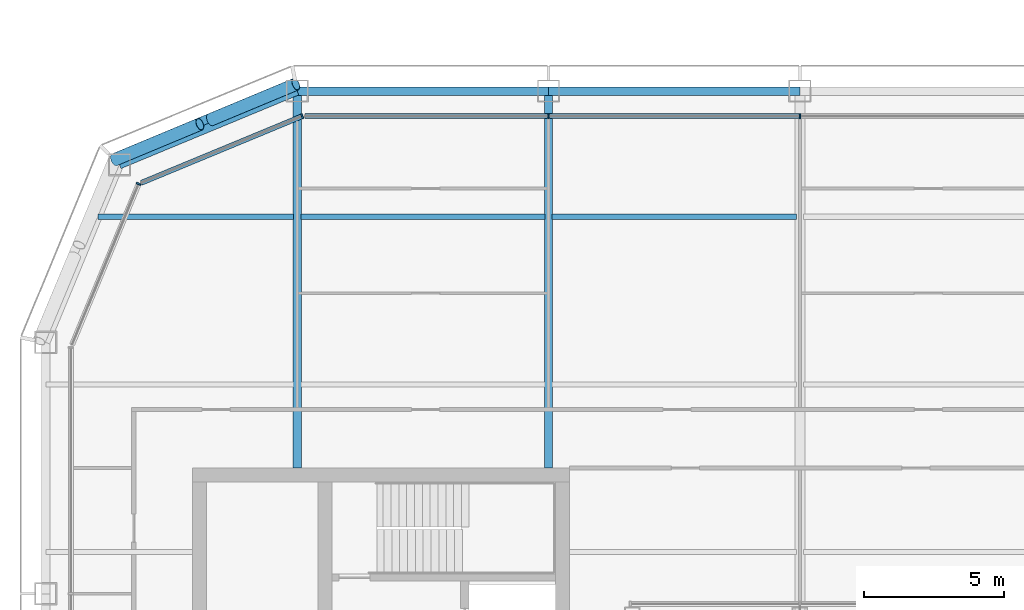
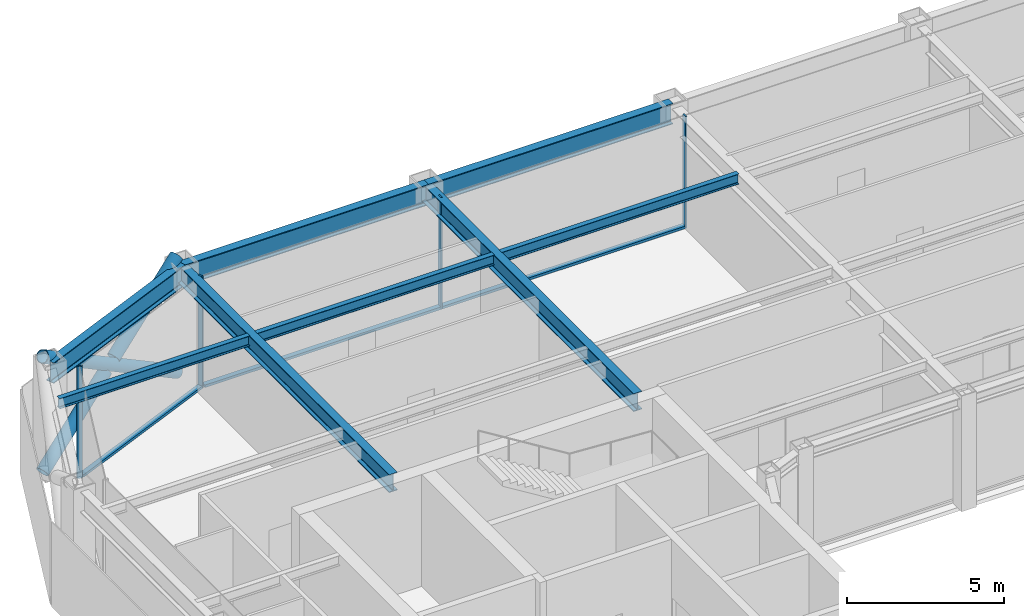
# One storey, part 8 of 23: 10 members, 8 beams, 3 elements without a shape of their own.
"""IFC4 building model written with IfcOpenShell, lengths in metres."""

from ifc_helpers import new_model, si_unit, direction, frame, origin, origin_2d, place, context, subcontext, project, spatial, rectangle, hollow_circle, i_section, extrude, material, layer, layer_set, material_profile, profile_set, type_object, element, aggregate, save


model = new_model("IFC4")

# Units and contexts
model_context = context("Model", 3, precision=1e-05, world=origin(), true_north=direction((0.0, 1.0)))
body_context = subcontext(model_context, "Body", "Model", "MODEL_VIEW")
ifc_project = project(units=[si_unit("LENGTHUNIT", "METRE"), si_unit("AREAUNIT", "SQUARE_METRE"), si_unit("VOLUMEUNIT", "CUBIC_METRE"), si_unit("PLANEANGLEUNIT", "RADIAN"), si_unit("MASSUNIT", "GRAM", prefix="KILO")], contexts=[model_context])

# Site, building, storey
site_placement = place(None, origin())
site = spatial("IfcSite", under=ifc_project, at=site_placement, CompositionType="ELEMENT")
building_placement = place(site_placement, origin())
building = spatial("IfcBuilding", under=site, at=building_placement, Name="Siwar Civic Tower", CompositionType="ELEMENT")
storey_placement = place(building_placement, frame((0.0, 0.0, 242.199951171875)))
storey = spatial("IfcBuildingStorey", under=building, at=storey_placement, Name="L52", CompositionType="ELEMENT", Elevation=242.199951171875)

# Curtain wall, members
ifc_material_1 = material(Name="Aluminium and glass", Category="aluminium")
ifc_layer_1 = layer(ifc_material_1, 0.179931640625)
ifc_layer_set_1 = layer_set([ifc_layer_1], Name="Aluminium and glass")
curtain_wall_type_1 = type_object("IfcCurtainWallType", Name="ENV-CW-C", PredefinedType="NOTDEFINED", material=ifc_layer_set_1)
curtain_wall_1_placement = place(storey_placement, origin())
curtain_wall_1 = element("IfcCurtainWall", 1, at=curtain_wall_1_placement, inside=storey, type_object=curtain_wall_type_1, Name="Curtain wall C N", PredefinedType="NOTDEFINED")
ifc_material_2 = material(Name="Aluminium 6063-T6", Category="aluminium")
ifc_material_profile_1 = material_profile(ifc_material_2, rectangle(XDim=0.179931640625, YDim=0.06005859375, at=origin_2d()), Name="AL 180x60")
ifc_profile_set_1 = profile_set([ifc_material_profile_1], Name="Aluminium 6063-T6")
member_type_1 = type_object("IfcMemberType", Name="ENV-MULLION-C", PredefinedType="MULLION", material=ifc_profile_set_1)
member_1_placement = place(storey_placement, frame((0.0, 26.10009765625, 0.0), z_axis=(0.0, 0.0, 1.0), x_axis=(0.0, -1.0, 0.0)))
member_1 = element("IfcMember", 2, at=member_1_placement, type_object=member_type_1, Name="Mullion C N 3", PredefinedType="MULLION", context=body_context, shape_type="SweptSolid", body=[
    extrude(rectangle(XDim=0.179931640625, YDim=0.06005859375, at=origin_2d()), origin(), (0.0, 0.0, 1.0), 4.35009765625),
])
member_2_placement = place(storey_placement, frame((-9.0, 26.10009765625, 0.0), z_axis=(0.0, 0.0, 1.0), x_axis=(0.0, -1.0, 0.0)))
member_2 = element("IfcMember", 3, at=member_2_placement, type_object=member_type_1, Name="Mullion C N 4", PredefinedType="MULLION", context=body_context, shape_type="SweptSolid", body=[
    extrude(rectangle(XDim=0.179931640625, YDim=0.06005859375, at=origin_2d()), origin(), (0.0, 0.0, 1.0), 4.35009765625),
])

# Curtain wall, member
ifc_material_3 = material(Name="Aluminium clad insulated panel", Category="aluminium")
ifc_layer_2 = layer(ifc_material_3, 0.179931640625)
ifc_layer_set_2 = layer_set([ifc_layer_2], Name="Aluminium clad insulated panel")
curtain_wall_type_2 = type_object("IfcCurtainWallType", Name="ENV-CW-CX", PredefinedType="NOTDEFINED", material=ifc_layer_set_2)
curtain_wall_2_placement = place(storey_placement, origin())
curtain_wall_2 = element("IfcCurtainWall", 4, at=curtain_wall_2_placement, inside=storey, type_object=curtain_wall_type_2, Name="Curtain wall C NW1", PredefinedType="NOTDEFINED")
member_3_placement = place(storey_placement, frame((-17.821044921875, 26.10009765625, 0.0), z_axis=(0.0, 0.0, 1.0), x_axis=(0.382683432365, -0.923879532511, 0.0)))
member_3 = element("IfcMember", 5, at=member_3_placement, type_object=member_type_1, Name="Mullion C NW1 1", PredefinedType="MULLION", context=body_context, shape_type="SweptSolid", body=[
    extrude(rectangle(XDim=0.179931640625, YDim=0.06005859375, at=origin_2d()), origin(), (0.0, 0.0, 1.0), 4.35009765625),
])

curtain_wall_3_placement = place(storey_placement, origin())
curtain_wall_3 = element("IfcCurtainWall", 6, at=curtain_wall_3_placement, inside=storey, type_object=curtain_wall_type_2, Name="Curtain wall C NW2", PredefinedType="NOTDEFINED")
member_4_placement = place(storey_placement, frame((-23.675048828125, 23.675048828125, 0.0), z_axis=(0.0, 0.0, 1.0), x_axis=(0.923879532511, -0.382683432365, 0.0)))
member_4 = element("IfcMember", 7, at=member_4_placement, type_object=member_type_1, Name="Mullion C NW2 1", PredefinedType="MULLION", context=body_context, shape_type="SweptSolid", body=[
    extrude(rectangle(XDim=0.179931640625, YDim=0.06005859375, at=origin_2d()), origin(), (0.0, 0.0, 1.0), 4.35009765625),
])
aggregate(curtain_wall_3, [member_4])

# Member
ifc_material_4 = material(Name="Aluminium 6063-T6", Category="aluminium")
ifc_material_profile_2 = material_profile(ifc_material_4, rectangle(XDim=0.179931640625, YDim=0.10009765625, at=origin_2d()), Name="AL 180x100")
ifc_profile_set_2 = profile_set([ifc_material_profile_2], Name="Aluminium 6063-T6")
member_type_2 = type_object("IfcMemberType", Name="ENV-TRANSOM-C", PredefinedType="USERDEFINED", material=ifc_profile_set_2)
member_5_placement = place(storey_placement, frame((-0.030029296875, 26.10009765625, 0.050048828125), z_axis=(-1.0, 0.0, 0.0), x_axis=(0.0, -1.0, 0.0)))
member_5 = element("IfcMember", 8, at=member_5_placement, type_object=member_type_2, Name="Transom C N 3", ObjectType="TRANSOM", PredefinedType="USERDEFINED", context=body_context, shape_type="SweptSolid", body=[
    extrude(rectangle(XDim=0.179931640625, YDim=0.10009765625, at=origin_2d()), origin(), (0.0, 0.0, 1.0), 8.93994140625),
])

member_6_placement = place(storey_placement, frame((-9.030029296875, 26.10009765625, 0.050048828125), z_axis=(-1.0, 0.0, 0.0), x_axis=(0.0, -1.0, 0.0)))
member_6 = element("IfcMember", 9, at=member_6_placement, type_object=member_type_2, Name="Transom C N 4", ObjectType="TRANSOM", PredefinedType="USERDEFINED", context=body_context, shape_type="SweptSolid", body=[
    extrude(rectangle(XDim=0.179931640625, YDim=0.10009765625, at=origin_2d()), origin(), (0.0, 0.0, 1.0), 8.68603515625),
])

aggregate(curtain_wall_1, [member_1, member_2, member_5, member_6])

member_7_placement = place(storey_placement, frame((-17.8486328125, 26.088623046875, 0.050048828125), z_axis=(-0.923882011223, -0.38267744817, 0.0), x_axis=(0.38267744817, -0.923882011223, 0.0)))
member_7 = element("IfcMember", 10, at=member_7_placement, type_object=member_type_2, Name="Transom C NW1 1", ObjectType="TRANSOM", PredefinedType="USERDEFINED", context=body_context, shape_type="SweptSolid", body=[
    extrude(rectangle(XDim=0.179931640625, YDim=0.10009765625, at=origin_2d()), origin(), (0.0, 0.0, 1.0), 6.201904296875),
])

aggregate(curtain_wall_2, [member_3, member_7])

# Members
ifc_material_5 = material(Name="Steel S355", Category="steel")
ifc_material_profile_3 = material_profile(ifc_material_5, hollow_circle(Radius=0.228515625, WallThickness=0.02001953125, at=origin_2d()), Name="CHS457x20")
ifc_profile_set_3 = profile_set([ifc_material_profile_3], Name="Steel S355")
member_type_3 = type_object("IfcMemberType", Name="STR-BR-CHS457x20", PredefinedType="BRACE", material=ifc_profile_set_3)
member_8_placement = place(storey_placement, frame((-18.048828125, 27.2451171875, 0.0), z_axis=(-0.777554562952, -0.323905527954, 0.538975055633), x_axis=(0.384538969033, -0.923108759191, 0.0)))
element("IfcMember", 11, at=member_8_placement, inside=storey, type_object=member_type_3, Name="L52/brc/CNW1-12-0-0", PredefinedType="BRACE", context=body_context, shape_type="SweptSolid", body=[
    extrude(hollow_circle(Radius=0.228515625, WallThickness=0.02001953125, at=origin_2d()), origin(), (0.0, 0.0, 1.0), 8.34912109375),
])
for number, where, z_axis, x_axis, name in (
    (12, (-24.540771484375, 24.540771484375, 0.0), (0.777546448489, 0.323884455881, 0.538999424564), (-0.38452107079, 0.92311621485, 0.0), "L52/brc/CNW1-12-0-4"),
    (13, (-21.10302734375, 25.972900390625, 2.383056640625), (0.777572496853, 0.323895306243, 0.538955325357), (-0.38452107079, 0.92311621485, 0.0), "L52/brc/CNW1-12-0-5"),
):
    element("IfcMember", number, at=place(storey_placement, frame(where, z_axis=z_axis, x_axis=x_axis)), inside=storey, type_object=member_type_3, Name=name, PredefinedType="BRACE", context=body_context, shape_type="SweptSolid", body=[
        extrude(hollow_circle(Radius=0.228515625, WallThickness=0.02001953125, at=origin_2d()), origin(), (0.0, 0.0, 1.0), 3.927978515625),
    ])

# Beams
ifc_material_6 = material(Name="Steel S355", Category="steel")
ifc_material_profile_4 = material_profile(ifc_material_6, i_section(OverallWidth=0.179931640625, OverallDepth=0.39990234375, WebThickness=0.008544921875, FlangeThickness=0.013427734375, FilletRadius=0.02099609375, at=origin_2d()), Name="IPE400")
ifc_profile_set_4 = profile_set([ifc_material_profile_4], Name="Steel S355")
beam_type_1 = type_object("IfcBeamType", Name="STR-FB-IPE400", PredefinedType="JOIST", material=ifc_profile_set_4)
beam_1_placement = place(storey_placement, frame((-25.135986328125, 22.5, 4.150146484375), z_axis=(1.0, 0.0, 0.0), x_axis=(0.0, 1.0, 0.0)))
element("IfcBeam", 14, at=beam_1_placement, inside=storey, type_object=beam_type_1, Name="L52/bm/F037", PredefinedType="JOIST", context=body_context, shape_type="SweptSolid", body=[
    extrude(i_section(OverallWidth=0.179931640625, OverallDepth=0.39990234375, WebThickness=0.008544921875, FlangeThickness=0.013427734375, FilletRadius=0.02099609375, at=origin_2d()), origin(), (0.0, 0.0, 1.0), 7.006103515625),
])
for number, where, z_axis, x_axis, name in (
    (15, (-17.8701171875, 22.5, 4.150146484375), (1.0, 0.0, 0.0), (0.0, 1.0, 0.0), "L52/bm/F038"),
    (16, (-8.8701171875, 22.5, 4.150146484375), (1.0, 0.0, 0.0), (0.0, 1.0, 0.0), "L52/bm/F039"),
):
    element("IfcBeam", number, at=place(storey_placement, frame(where, z_axis=z_axis, x_axis=x_axis)), inside=storey, type_object=beam_type_1, Name=name, PredefinedType="JOIST", context=body_context, shape_type="SweptSolid", body=[
        extrude(i_section(OverallWidth=0.179931640625, OverallDepth=0.39990234375, WebThickness=0.008544921875, FlangeThickness=0.013427734375, FilletRadius=0.02099609375, at=origin_2d()), origin(), (0.0, 0.0, 1.0), 8.740234375),
    ])
ifc_material_7 = material(Name="Steel S355", Category="steel")
ifc_material_profile_5 = material_profile(ifc_material_7, i_section(OverallWidth=0.300048828125, OverallDepth=0.699951171875, WebThickness=0.01708984375, FlangeThickness=0.031982421875, FilletRadius=0.027099609375, at=origin_2d()), Name="HEB700")
ifc_profile_set_5 = profile_set([ifc_material_profile_5], Name="Steel S355")
beam_type_2 = type_object("IfcBeamType", Name="STR-PG-HEB700", PredefinedType="BEAM", material=ifc_profile_set_5)
for number, where, z_axis, x_axis, name in (
    (17, (-18.0, 13.5, 4.0), (0.0, 1.0, 0.0), (-1.0, 0.0, 0.0), "L52/bm/G02"),
    (18, (-9.0, 13.5, 4.0), (0.0, 1.0, 0.0), (-1.0, 0.0, 0.0), "L52/bm/G04"),
):
    element("IfcBeam", number, at=place(storey_placement, frame(where, z_axis=z_axis, x_axis=x_axis)), inside=storey, type_object=beam_type_2, Name=name, PredefinedType="BEAM", context=body_context, shape_type="SweptSolid", body=[
        extrude(i_section(OverallWidth=0.300048828125, OverallDepth=0.699951171875, WebThickness=0.01708984375, FlangeThickness=0.031982421875, FilletRadius=0.027099609375, at=origin_2d()), origin(), (0.0, 0.0, 1.0), 13.5),
    ])
ifc_material_8 = material(Name="Steel S355", Category="steel")
ifc_material_profile_6 = material_profile(ifc_material_8, i_section(OverallWidth=0.300048828125, OverallDepth=0.800048828125, WebThickness=0.017578125, FlangeThickness=0.032958984375, FilletRadius=0.030029296875, at=origin_2d()), Name="HEB800")
ifc_profile_set_6 = profile_set([ifc_material_profile_6], Name="Steel S355")
beam_type_3 = type_object("IfcBeamType", Name="STR-SB-HEB800", PredefinedType="BEAM", material=ifc_profile_set_6)
for number, where, z_axis, x_axis, name in (
    (19, (0.0, 27.0, 3.949951171875), (-1.0, 0.0, 0.0), (0.0, -1.0, 0.0), "L52/bm/SN-2"),
    (20, (-9.0, 27.0, 3.949951171875), (-1.0, 0.0, 0.0), (0.0, -1.0, 0.0), "L52/bm/SN-3"),
):
    element("IfcBeam", number, at=place(storey_placement, frame(where, z_axis=z_axis, x_axis=x_axis)), inside=storey, type_object=beam_type_3, Name=name, PredefinedType="BEAM", context=body_context, shape_type="SweptSolid", body=[
        extrude(i_section(OverallWidth=0.300048828125, OverallDepth=0.800048828125, WebThickness=0.017578125, FlangeThickness=0.032958984375, FilletRadius=0.030029296875, at=origin_2d()), origin(), (0.0, 0.0, 1.0), 9.0),
    ])
beam_2_placement = place(storey_placement, frame((-18.0, 27.0, 3.949951171875), z_axis=(-0.923883353507, -0.382674207535, 0.0), x_axis=(0.382674207535, -0.923883353507, 0.0)))
element("IfcBeam", 21, at=beam_2_placement, inside=storey, type_object=beam_type_3, Name="L52/bm/SNW1-0", PredefinedType="BEAM", context=body_context, shape_type="SweptSolid", body=[
    extrude(i_section(OverallWidth=0.300048828125, OverallDepth=0.800048828125, WebThickness=0.017578125, FlangeThickness=0.032958984375, FilletRadius=0.030029296875, at=origin_2d()), origin(), (0.0, 0.0, 1.0), 6.888427734375),
])

save(model, "model.ifc")
